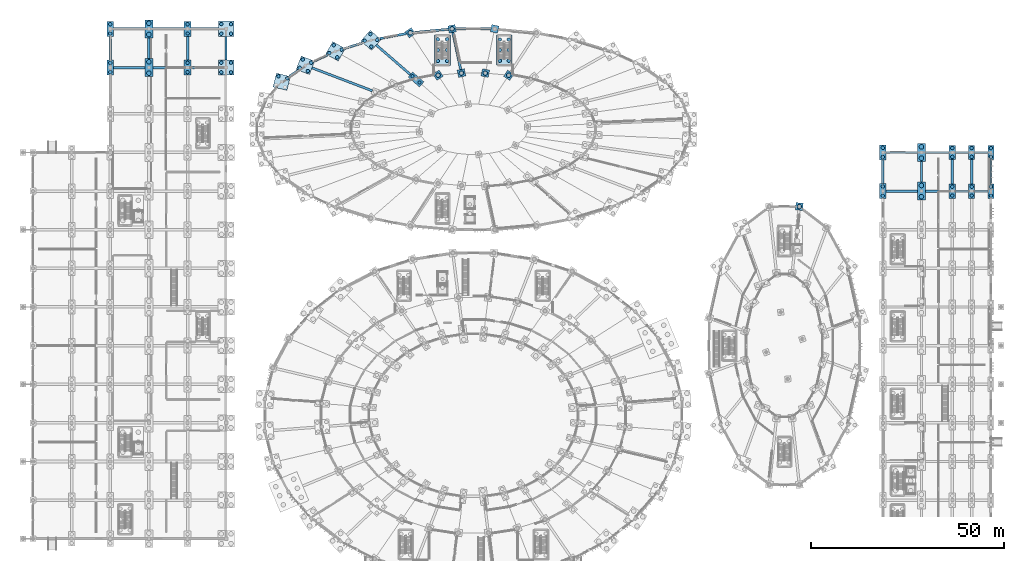
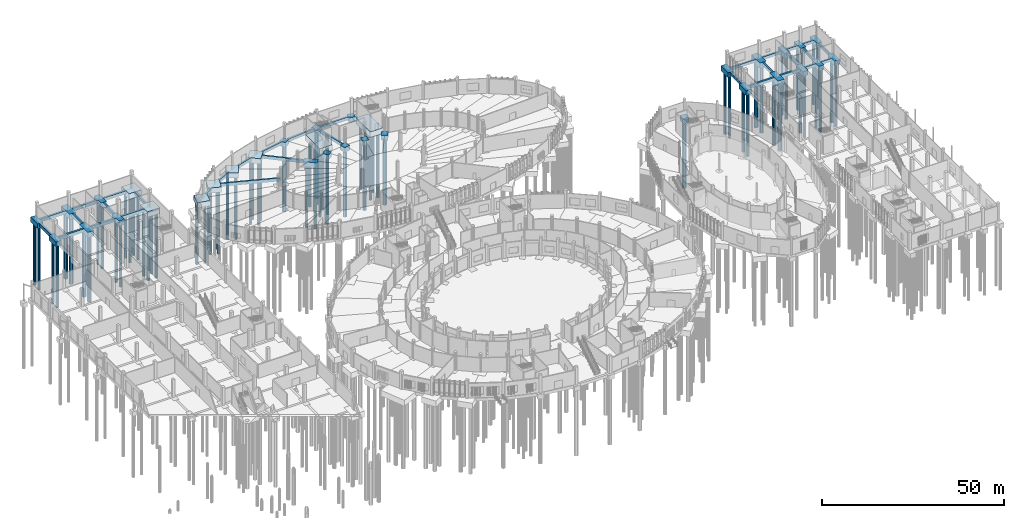
# One storey, part 12 of 140: 75 piles, 65 footings.
"""IFC4 building model written with IfcOpenShell, lengths in metres."""

from ifc_helpers import new_model, si_unit, direction, frame, origin, origin_2d, place, context, subcontext, project, spatial, rectangle, circle, extrude, material, layer, layer_set, material_profile, profile_set, type_object, element, save


model = new_model("IFC4")

# Units and contexts
model_context = context("Model", 3, precision=1e-05, world=origin(), true_north=direction((0.0, 1.0)))
body_context = subcontext(model_context, "Body", "Model", "MODEL_VIEW")
ifc_project = project(units=[si_unit("LENGTHUNIT", "METRE"), si_unit("AREAUNIT", "SQUARE_METRE"), si_unit("VOLUMEUNIT", "CUBIC_METRE"), si_unit("PLANEANGLEUNIT", "RADIAN"), si_unit("MASSUNIT", "GRAM", prefix="KILO")], contexts=[model_context])

# Site, building, storey
site_placement = place(None, origin())
site = spatial("IfcSite", under=ifc_project, at=site_placement, CompositionType="ELEMENT")
building_placement = place(site_placement, origin())
building = spatial("IfcBuilding", under=site, at=building_placement, Name="Corvandel Quay Wholesale Market", CompositionType="ELEMENT")
storey_placement = place(building_placement, origin())
storey = spatial("IfcBuildingStorey", under=building, at=storey_placement, Name="L00", CompositionType="ELEMENT", Elevation=0.0)

# Piles
ifc_material = material(Name="Concrete C40/50", Category="concrete")
ifc_material_profile_1 = material_profile(ifc_material, circle(Radius=0.60009765625, at=origin_2d()), Name="RC-PILE-D1200")
ifc_profile_set_1 = profile_set([ifc_material_profile_1], Name="Concrete C40/50")
pile_type_1 = type_object("IfcPileType", Name="Bored Pile D1200 L22.2", PredefinedType="BORED", material=ifc_profile_set_1)
for number, where, z_axis, x_axis, name in (
    (1, (123.14697265625, 130.0, -1.5), (0.0, 0.0, -1.0), (1.0, 0.0, 0.0), "Bored Pile PIL-0374"),
    (2, (117.089111328125, 130.56005859375, -1.5), (0.0, 0.0, -1.0), (1.0, 0.0, 0.0), "Bored Pile PIL-0376"),
    (3, (108.48388671875, 142.0, -1.5), (0.0, 0.0, -1.0), (1.0, 0.0, 0.0), "Bored Pile PIL-0377"),
    (4, (110.910888671875, 130.56005859375, -1.5), (0.0, 0.0, -1.0), (1.0, 0.0, 0.0), "Bored Pile PIL-0378"),
    (5, (97.6650390625, 141.0009765625, -1.5), (0.0, 0.0, -1.0), (1.0, 0.0, 0.0), "Bored Pile PIL-0380"),
    (6, (104.85302734375, 130.0, -1.5), (0.0, 0.0, -1.0), (1.0, 0.0, 0.0), "Bored Pile PIL-0381"),
    (7, (198.37890625, 96.0, -1.5), (0.0, 0.0, -1.0), (1.0, 0.0, 0.0), "Bored Pile PIL-0514"),
    (8, (30.0, 130.550048828125, -1.75), (0.0, 0.0, -1.0), (1.0, 0.0, 0.0), "Bored Pile PIL-0662"),
    (9, (30.0, 133.449951171875, -1.75), (0.0, 0.0, -1.0), (1.0, 0.0, 0.0), "Bored Pile PIL-0663"),
    (10, (30.0, 140.550048828125, -1.75), (0.0, 0.0, -1.0), (1.0, 0.0, 0.0), "Bored Pile PIL-0664"),
    (11, (30.0, 143.449951171875, -1.75), (0.0, 0.0, -1.0), (1.0, 0.0, 0.0), "Bored Pile PIL-0665"),
    (12, (230.0, 98.550048828125, -1.75), (0.0, 0.0, -1.0), (1.0, 0.0, 0.0), "Bored Pile PIL-0790"),
    (13, (230.0, 101.449951171875, -1.75), (0.0, 0.0, -1.0), (1.0, 0.0, 0.0), "Bored Pile PIL-0791"),
    (14, (230.0, 108.550048828125, -1.75), (0.0, 0.0, -1.0), (1.0, 0.0, 0.0), "Bored Pile PIL-0792"),
    (15, (230.0, 111.449951171875, -1.75), (0.0, 0.0, -1.0), (1.0, 0.0, 0.0), "Bored Pile PIL-0793"),
):
    element("IfcPile", number, at=place(storey_placement, frame(where, z_axis=z_axis, x_axis=x_axis)), inside=storey, type_object=pile_type_1, Name=name, PredefinedType="BORED", context=body_context, shape_type="SweptSolid", body=[
        extrude(circle(Radius=0.60009765625, at=origin_2d()), origin(), (0.0, 0.0, 1.0), 22.199951171875),
    ])
ifc_material_profile_2 = material_profile(ifc_material, circle(Radius=0.449951171875, at=origin_2d()), Name="RC-PILE-D900")
ifc_profile_set_2 = profile_set([ifc_material_profile_2], Name="Concrete C40/50")
pile_type_2 = type_object("IfcPileType", Name="Bored Pile D900 L21.0", PredefinedType="BORED", material=ifc_profile_set_2)
for number, where, z_axis, x_axis, name in (
    (16, (87.587890625, 137.4189453125, -1.64990234375), (0.0, 0.0, -1.0), (1.0, 0.0, 0.0), "Bored Pile PIL-0382"),
    (17, (89.095947265625, 139.155029296875, -1.64990234375), (0.0, 0.0, -1.0), (1.0, 0.0, 0.0), "Bored Pile PIL-0383"),
    (18, (85.85205078125, 138.927001953125, -1.64990234375), (0.0, 0.0, -1.0), (1.0, 0.0, 0.0), "Bored Pile PIL-0384"),
    (19, (87.360107421875, 140.6630859375, -1.64990234375), (0.0, 0.0, -1.0), (1.0, 0.0, 0.0), "Bored Pile PIL-0385"),
    (20, (100.051025390625, 128.115966796875, -1.550048828125), (0.0, 0.0, -1.0), (1.0, 0.0, 0.0), "Bored Pile PIL-0386"),
    (21, (98.239013671875, 129.68994140625, -1.550048828125), (0.0, 0.0, -1.0), (1.0, 0.0, 0.0), "Bored Pile PIL-0387"),
    (22, (78.737060546875, 134.62890625, -1.64990234375), (0.0, 0.0, -1.0), (1.0, 0.0, 0.0), "Bored Pile PIL-0388"),
    (23, (79.868896484375, 136.631103515625, -1.64990234375), (0.0, 0.0, -1.0), (1.0, 0.0, 0.0), "Bored Pile PIL-0389"),
    (24, (76.735107421875, 135.760986328125, -1.64990234375), (0.0, 0.0, -1.0), (1.0, 0.0, 0.0), "Bored Pile PIL-0390"),
    (25, (77.866943359375, 137.762939453125, -1.64990234375), (0.0, 0.0, -1.0), (1.0, 0.0, 0.0), "Bored Pile PIL-0391"),
    (26, (71.1669921875, 131.090087890625, -1.64990234375), (0.0, 0.0, -1.0), (1.0, 0.0, 0.0), "Bored Pile PIL-0394"),
    (27, (71.986083984375, 133.239013671875, -1.64990234375), (0.0, 0.0, -1.0), (1.0, 0.0, 0.0), "Bored Pile PIL-0395"),
    (28, (69.01806640625, 131.908935546875, -1.64990234375), (0.0, 0.0, -1.0), (1.0, 0.0, 0.0), "Bored Pile PIL-0396"),
    (29, (69.8369140625, 134.05810546875, -1.64990234375), (0.0, 0.0, -1.0), (1.0, 0.0, 0.0), "Bored Pile PIL-0397"),
    (30, (65.76611328125, 129.155029296875, -1.64990234375), (0.0, 0.0, -1.0), (1.0, 0.0, 0.0), "Bored Pile PIL-0402"),
    (31, (63.533935546875, 129.708984375, -1.64990234375), (0.0, 0.0, -1.0), (1.0, 0.0, 0.0), "Bored Pile PIL-0404"),
    (32, (20.0, 130.800048828125, -1.550048828125), (0.0, 0.0, -1.0), (1.0, 0.0, 0.0), "Bored Pile PIL-0634"),
    (33, (20.0, 133.199951171875, -1.550048828125), (0.0, 0.0, -1.0), (1.0, 0.0, 0.0), "Bored Pile PIL-0635"),
    (34, (20.0, 140.800048828125, -1.550048828125), (0.0, 0.0, -1.0), (1.0, 0.0, 0.0), "Bored Pile PIL-0636"),
    (35, (20.0, 143.199951171875, -1.550048828125), (0.0, 0.0, -1.0), (1.0, 0.0, 0.0), "Bored Pile PIL-0637"),
    (36, (40.0, 130.800048828125, -1.550048828125), (0.0, 0.0, -1.0), (1.0, 0.0, 0.0), "Bored Pile PIL-0690"),
    (37, (40.0, 133.199951171875, -1.550048828125), (0.0, 0.0, -1.0), (1.0, 0.0, 0.0), "Bored Pile PIL-0691"),
    (38, (40.0, 140.800048828125, -1.550048828125), (0.0, 0.0, -1.0), (1.0, 0.0, 0.0), "Bored Pile PIL-0692"),
    (39, (40.0, 143.199951171875, -1.550048828125), (0.0, 0.0, -1.0), (1.0, 0.0, 0.0), "Bored Pile PIL-0693"),
    (40, (220.0, 98.800048828125, -1.550048828125), (0.0, 0.0, -1.0), (1.0, 0.0, 0.0), "Bored Pile PIL-0768"),
    (41, (220.0, 101.199951171875, -1.550048828125), (0.0, 0.0, -1.0), (1.0, 0.0, 0.0), "Bored Pile PIL-0769"),
    (42, (220.0, 108.800048828125, -1.550048828125), (0.0, 0.0, -1.0), (1.0, 0.0, 0.0), "Bored Pile PIL-0770"),
    (43, (220.0, 111.199951171875, -1.550048828125), (0.0, 0.0, -1.0), (1.0, 0.0, 0.0), "Bored Pile PIL-0771"),
    (44, (238.0, 98.85009765625, -1.5), (0.0, 0.0, -1.0), (1.0, 0.0, 0.0), "Bored Pile PIL-0812"),
    (45, (238.0, 101.14990234375, -1.5), (0.0, 0.0, -1.0), (1.0, 0.0, 0.0), "Bored Pile PIL-0813"),
    (46, (238.0, 108.85009765625, -1.5), (0.0, 0.0, -1.0), (1.0, 0.0, 0.0), "Bored Pile PIL-0814"),
    (47, (238.0, 111.14990234375, -1.5), (0.0, 0.0, -1.0), (1.0, 0.0, 0.0), "Bored Pile PIL-0815"),
    (48, (243.0, 98.85009765625, -1.5), (0.0, 0.0, -1.0), (1.0, 0.0, 0.0), "Bored Pile PIL-0834"),
    (49, (243.0, 101.14990234375, -1.5), (0.0, 0.0, -1.0), (1.0, 0.0, 0.0), "Bored Pile PIL-0835"),
    (50, (243.0, 108.85009765625, -1.5), (0.0, 0.0, -1.0), (1.0, 0.0, 0.0), "Bored Pile PIL-0836"),
    (51, (243.0, 111.14990234375, -1.5), (0.0, 0.0, -1.0), (1.0, 0.0, 0.0), "Bored Pile PIL-0837"),
    (52, (248.0, 98.85009765625, -1.5), (0.0, 0.0, -1.0), (1.0, 0.0, 0.0), "Bored Pile PIL-0856"),
    (53, (248.0, 101.14990234375, -1.5), (0.0, 0.0, -1.0), (1.0, 0.0, 0.0), "Bored Pile PIL-0857"),
    (54, (248.0, 108.85009765625, -1.5), (0.0, 0.0, -1.0), (1.0, 0.0, 0.0), "Bored Pile PIL-0858"),
    (55, (248.0, 111.14990234375, -1.5), (0.0, 0.0, -1.0), (1.0, 0.0, 0.0), "Bored Pile PIL-0859"),
):
    element("IfcPile", number, at=place(storey_placement, frame(where, z_axis=z_axis, x_axis=x_axis)), inside=storey, type_object=pile_type_2, Name=name, PredefinedType="BORED", context=body_context, shape_type="SweptSolid", body=[
        extrude(circle(Radius=0.449951171875, at=origin_2d()), origin(), (0.0, 0.0, 1.0), 21.0),
    ])
ifc_material_profile_3 = material_profile(ifc_material, circle(Radius=0.449951171875, at=origin_2d()), Name="RC-PILE-D900")
ifc_profile_set_3 = profile_set([ifc_material_profile_3], Name="Concrete C40/50")
pile_type_3 = type_object("IfcPileType", Name="Bored Pile D900 L21.8", PredefinedType="BORED", material=ifc_profile_set_3)
for number, where, z_axis, x_axis, name in (
    (56, (104.800048828125, 133.699951171875, -1.85009765625), (0.0, 0.0, -1.0), (1.0, 0.0, 0.0), "Bored Pile PIL-0059"),
    (57, (107.199951171875, 133.699951171875, -1.85009765625), (0.0, 0.0, -1.0), (1.0, 0.0, 0.0), "Bored Pile PIL-0060"),
    (58, (104.800048828125, 136.5, -1.85009765625), (0.0, 0.0, -1.0), (1.0, 0.0, 0.0), "Bored Pile PIL-0061"),
    (59, (107.199951171875, 136.5, -1.85009765625), (0.0, 0.0, -1.0), (1.0, 0.0, 0.0), "Bored Pile PIL-0062"),
    (60, (104.800048828125, 139.300048828125, -1.85009765625), (0.0, 0.0, -1.0), (1.0, 0.0, 0.0), "Bored Pile PIL-0063"),
    (61, (107.199951171875, 139.300048828125, -1.85009765625), (0.0, 0.0, -1.0), (1.0, 0.0, 0.0), "Bored Pile PIL-0064"),
    (62, (120.85009765625, 133.75, -1.800048828125), (0.0, 0.0, -1.0), (1.0, 0.0, 0.0), "Bored Pile PIL-0065"),
    (63, (123.14990234375, 133.75, -1.800048828125), (0.0, 0.0, -1.0), (1.0, 0.0, 0.0), "Bored Pile PIL-0066"),
    (64, (120.85009765625, 136.5, -1.800048828125), (0.0, 0.0, -1.0), (1.0, 0.0, 0.0), "Bored Pile PIL-0067"),
    (65, (123.14990234375, 136.5, -1.800048828125), (0.0, 0.0, -1.0), (1.0, 0.0, 0.0), "Bored Pile PIL-0068"),
    (66, (120.85009765625, 139.25, -1.800048828125), (0.0, 0.0, -1.0), (1.0, 0.0, 0.0), "Bored Pile PIL-0069"),
    (67, (123.14990234375, 139.25, -1.800048828125), (0.0, 0.0, -1.0), (1.0, 0.0, 0.0), "Bored Pile PIL-0070"),
    (68, (48.75, 130.75, -1.75), (0.0, 0.0, -1.0), (1.0, 0.0, 0.0), "Bored Pile PIL-0742"),
    (69, (51.25, 130.75, -1.75), (0.0, 0.0, -1.0), (1.0, 0.0, 0.0), "Bored Pile PIL-0743"),
    (70, (48.75, 133.25, -1.75), (0.0, 0.0, -1.0), (1.0, 0.0, 0.0), "Bored Pile PIL-0744"),
    (71, (51.25, 133.25, -1.75), (0.0, 0.0, -1.0), (1.0, 0.0, 0.0), "Bored Pile PIL-0745"),
    (72, (48.75, 140.75, -1.75), (0.0, 0.0, -1.0), (1.0, 0.0, 0.0), "Bored Pile PIL-0746"),
    (73, (51.25, 140.75, -1.75), (0.0, 0.0, -1.0), (1.0, 0.0, 0.0), "Bored Pile PIL-0747"),
    (74, (48.75, 143.25, -1.75), (0.0, 0.0, -1.0), (1.0, 0.0, 0.0), "Bored Pile PIL-0748"),
    (75, (51.25, 143.25, -1.75), (0.0, 0.0, -1.0), (1.0, 0.0, 0.0), "Bored Pile PIL-0749"),
):
    element("IfcPile", number, at=place(storey_placement, frame(where, z_axis=z_axis, x_axis=x_axis)), inside=storey, type_object=pile_type_3, Name=name, PredefinedType="BORED", context=body_context, shape_type="SweptSolid", body=[
        extrude(circle(Radius=0.449951171875, at=origin_2d()), origin(), (0.0, 0.0, 1.0), 21.800048828125),
    ])

# Footings
ifc_layer_1 = layer(ifc_material, 1.050048828125)
ifc_layer_set_1 = layer_set([ifc_layer_1], Name="Concrete C40/50")
footing_type_1 = type_object("IfcFootingType", Name="Cold Store Grade Beam GB04 650x1050", PredefinedType="FOOTING_BEAM", material=ifc_layer_set_1)
for number, where, z_axis, x_axis, name in (
    (76, (24.93798828125, 132.0, -1.0498046875), (0.0, 0.0, 1.0), (1.0, 0.0, 0.0), "Grade Beam FND-0545"),
    (77, (35.06201171875, 132.0, -1.0498046875), (0.0, 0.0, 1.0), (1.0, 0.0, 0.0), "Grade Beam FND-0546"),
):
    element("IfcFooting", number, at=place(storey_placement, frame(where, z_axis=z_axis, x_axis=x_axis)), inside=storey, type_object=footing_type_1, Name=name, PredefinedType="FOOTING_BEAM", context=body_context, shape_type="SweptSolid", body=[
        extrude(rectangle(XDim=8.125, YDim=0.64990234375, at=origin_2d()), origin(), (0.0, 0.0, 1.0), 1.050048828125),
    ])
footing_1_placement = place(storey_placement, frame((44.43798828125, 132.0, -1.0498046875), z_axis=(0.0, 0.0, 1.0), x_axis=(1.0, 0.0, 0.0)))
element("IfcFooting", 78, at=footing_1_placement, inside=storey, type_object=footing_type_1, Name="Grade Beam FND-0547", PredefinedType="FOOTING_BEAM", context=body_context, shape_type="SweptSolid", body=[
    extrude(rectangle(XDim=7.125, YDim=0.64990234375, at=origin_2d()), origin(), (0.0, 0.0, 1.0), 1.050048828125),
])
for number, where, z_axis, x_axis, name in (
    (79, (24.93798828125, 142.0, -1.0498046875), (0.0, 0.0, 1.0), (1.0, 0.0, 0.0), "Grade Beam FND-0548"),
    (80, (35.06201171875, 142.0, -1.0498046875), (0.0, 0.0, 1.0), (1.0, 0.0, 0.0), "Grade Beam FND-0549"),
):
    element("IfcFooting", number, at=place(storey_placement, frame(where, z_axis=z_axis, x_axis=x_axis)), inside=storey, type_object=footing_type_1, Name=name, PredefinedType="FOOTING_BEAM", context=body_context, shape_type="SweptSolid", body=[
        extrude(rectangle(XDim=8.125, YDim=0.64990234375, at=origin_2d()), origin(), (0.0, 0.0, 1.0), 1.050048828125),
    ])
footing_2_placement = place(storey_placement, frame((44.43798828125, 142.0, -1.0498046875), z_axis=(0.0, 0.0, 1.0), x_axis=(1.0, 0.0, 0.0)))
element("IfcFooting", 81, at=footing_2_placement, inside=storey, type_object=footing_type_1, Name="Grade Beam FND-0550", PredefinedType="FOOTING_BEAM", context=body_context, shape_type="SweptSolid", body=[
    extrude(rectangle(XDim=7.125, YDim=0.64990234375, at=origin_2d()), origin(), (0.0, 0.0, 1.0), 1.050048828125),
])
footing_3_placement = place(storey_placement, frame((20.0, 137.0, -1.0498046875), z_axis=(0.0, 0.0, 1.0), x_axis=(0.0, 1.0, 0.0)))
element("IfcFooting", 82, at=footing_3_placement, inside=storey, type_object=footing_type_1, Name="Grade Beam FND-0583", PredefinedType="FOOTING_BEAM", context=body_context, shape_type="SweptSolid", body=[
    extrude(rectangle(XDim=6.10009765625, YDim=0.64990234375, at=origin_2d()), origin(), (0.0, 0.0, 1.0), 1.050048828125),
])
footing_4_placement = place(storey_placement, frame((30.0, 137.0, -1.0498046875), z_axis=(0.0, 0.0, 1.0), x_axis=(0.0, 1.0, 0.0)))
element("IfcFooting", 83, at=footing_4_placement, inside=storey, type_object=footing_type_1, Name="Grade Beam FND-0596", PredefinedType="FOOTING_BEAM", context=body_context, shape_type="SweptSolid", body=[
    extrude(rectangle(XDim=5.39990234375, YDim=0.64990234375, at=origin_2d()), origin(), (0.0, 0.0, 1.0), 1.050048828125),
])
footing_5_placement = place(storey_placement, frame((40.0, 137.0, -1.0498046875), z_axis=(0.0, 0.0, 1.0), x_axis=(0.0, 1.0, 0.0)))
element("IfcFooting", 84, at=footing_5_placement, inside=storey, type_object=footing_type_1, Name="Grade Beam FND-0609", PredefinedType="FOOTING_BEAM", context=body_context, shape_type="SweptSolid", body=[
    extrude(rectangle(XDim=6.10009765625, YDim=0.64990234375, at=origin_2d()), origin(), (0.0, 0.0, 1.0), 1.050048828125),
])
ifc_layer_2 = layer(ifc_material, 0.89990234375)
ifc_layer_set_2 = layer_set([ifc_layer_2], Name="Concrete C40/50")
footing_type_2 = type_object("IfcFootingType", Name="Perimeter Grade Beam GB03 550x900", PredefinedType="FOOTING_BEAM", material=ifc_layer_set_2)
footing_6_placement = place(storey_placement, frame((50.0, 137.0, -0.89990234375), z_axis=(0.0, 0.0, 1.0), x_axis=(0.0, 1.0, 0.0)))
element("IfcFooting", 85, at=footing_6_placement, inside=storey, type_object=footing_type_2, Name="Grade Beam FND-0622", PredefinedType="FOOTING_BEAM", context=body_context, shape_type="SweptSolid", body=[
    extrude(rectangle(XDim=6.0, YDim=0.550048828125, at=origin_2d()), origin(), (0.0, 0.0, 1.0), 0.89990234375),
])
footing_7_placement = place(storey_placement, frame((220.0, 105.0, -0.89990234375), z_axis=(0.0, 0.0, 1.0), x_axis=(0.0, 1.0, 0.0)))
element("IfcFooting", 86, at=footing_7_placement, inside=storey, type_object=footing_type_2, Name="Grade Beam FND-0731", PredefinedType="FOOTING_BEAM", context=body_context, shape_type="SweptSolid", body=[
    extrude(rectangle(XDim=6.10009765625, YDim=0.550048828125, at=origin_2d()), origin(), (0.0, 0.0, 1.0), 0.89990234375),
])
footing_8_placement = place(storey_placement, frame((248.0, 105.0, -0.89990234375), z_axis=(0.0, 0.0, 1.0), x_axis=(0.0, 1.0, 0.0)))
element("IfcFooting", 87, at=footing_8_placement, inside=storey, type_object=footing_type_2, Name="Grade Beam FND-0771", PredefinedType="FOOTING_BEAM", context=body_context, shape_type="SweptSolid", body=[
    extrude(rectangle(XDim=6.300048828125, YDim=0.550048828125, at=origin_2d()), origin(), (0.0, 0.0, 1.0), 0.89990234375),
])
ifc_layer_3 = layer(ifc_material, 1.60009765625)
ifc_layer_set_3 = layer_set([ifc_layer_3], Name="Concrete C40/50")
footing_type_3 = type_object("IfcFootingType", Name="Pile Cap PC01 1600x3700x1600", PredefinedType="PILE_CAP", material=ifc_layer_set_3)
for number, where, z_axis, x_axis, name in (
    (88, (238.0, 100.0, -1.60009765625), (0.0, 0.0, 1.0), (1.0, 0.0, 0.0), "Pile Cap FND-0654"),
    (89, (238.0, 110.0, -1.60009765625), (0.0, 0.0, 1.0), (1.0, 0.0, 0.0), "Pile Cap FND-0655"),
    (90, (243.0, 100.0, -1.60009765625), (0.0, 0.0, 1.0), (1.0, 0.0, 0.0), "Pile Cap FND-0665"),
    (91, (243.0, 110.0, -1.60009765625), (0.0, 0.0, 1.0), (1.0, 0.0, 0.0), "Pile Cap FND-0666"),
    (92, (248.0, 100.0, -1.60009765625), (0.0, 0.0, 1.0), (1.0, 0.0, 0.0), "Pile Cap FND-0676"),
    (93, (248.0, 110.0, -1.60009765625), (0.0, 0.0, 1.0), (1.0, 0.0, 0.0), "Pile Cap FND-0677"),
):
    element("IfcFooting", number, at=place(storey_placement, frame(where, z_axis=z_axis, x_axis=x_axis)), inside=storey, type_object=footing_type_3, Name=name, PredefinedType="PILE_CAP", context=body_context, shape_type="SweptSolid", body=[
        extrude(rectangle(XDim=1.60009765625, YDim=3.699951171875, at=origin_2d()), origin(), (0.0, 0.0, 1.0), 1.60009765625),
    ])
ifc_layer_4 = layer(ifc_material, 1.64990234375)
ifc_layer_set_4 = layer_set([ifc_layer_4], Name="Concrete C40/50")
footing_type_4 = type_object("IfcFootingType", Name="Pile Cap PC03 1750x3900x1650", PredefinedType="PILE_CAP", material=ifc_layer_set_4)
for number, where, z_axis, x_axis, name in (
    (94, (99.14501953125, 128.903076171875, -1.64990234375), (0.0, 0.0, 1.0), (0.655795545685, 0.754938542041, 0.0), "Pile Cap FND-0239"),
    (95, (20.0, 132.0, -1.64990234375), (0.0, 0.0, 1.0), (1.0, 0.0, 0.0), "Pile Cap FND-0443"),
    (96, (20.0, 142.0, -1.64990234375), (0.0, 0.0, 1.0), (1.0, 0.0, 0.0), "Pile Cap FND-0444"),
    (97, (40.0, 132.0, -1.64990234375), (0.0, 0.0, 1.0), (1.0, 0.0, 0.0), "Pile Cap FND-0471"),
    (98, (40.0, 142.0, -1.64990234375), (0.0, 0.0, 1.0), (1.0, 0.0, 0.0), "Pile Cap FND-0472"),
    (99, (220.0, 100.0, -1.64990234375), (0.0, 0.0, 1.0), (1.0, 0.0, 0.0), "Pile Cap FND-0632"),
    (100, (220.0, 110.0, -1.64990234375), (0.0, 0.0, 1.0), (1.0, 0.0, 0.0), "Pile Cap FND-0633"),
):
    element("IfcFooting", number, at=place(storey_placement, frame(where, z_axis=z_axis, x_axis=x_axis)), inside=storey, type_object=footing_type_4, Name=name, PredefinedType="PILE_CAP", context=body_context, shape_type="SweptSolid", body=[
        extrude(rectangle(XDim=1.75, YDim=3.89990234375, at=origin_2d()), origin(), (0.0, 0.0, 1.0), 1.64990234375),
    ])
ifc_layer_5 = layer(ifc_material, 1.75)
ifc_layer_set_5 = layer_set([ifc_layer_5], Name="Concrete C40/50")
footing_type_5 = type_object("IfcFootingType", Name="Pile Cap PC05 3700x3700x1750", PredefinedType="PILE_CAP", material=ifc_layer_set_5)
for number, where, z_axis, x_axis, name in (
    (101, (87.47412109375, 139.041015625, -1.75), (0.0, 0.0, 1.0), (0.655795545685, 0.754938542041, 0.0), "Pile Cap FND-0238"),
    (102, (78.302001953125, 136.196044921875, -1.75), (0.0, 0.0, 1.0), (0.492423560103, 0.87035569594, 0.0), "Pile Cap FND-0240"),
    (103, (70.501953125, 132.573974609375, -1.75), (0.0, 0.0, 1.0), (0.356085714679, 0.934453296747, 0.0), "Pile Cap FND-0242"),
    (104, (64.373046875, 128.31591796875, -1.75), (0.0, 0.0, 1.0), (0.240905671828, 0.970548534222, 0.0), "Pile Cap FND-0245"),
):
    element("IfcFooting", number, at=place(storey_placement, frame(where, z_axis=z_axis, x_axis=x_axis)), inside=storey, type_object=footing_type_5, Name=name, PredefinedType="PILE_CAP", context=body_context, shape_type="SweptSolid", body=[
        extrude(rectangle(XDim=3.699951171875, YDim=3.699951171875, at=origin_2d()), origin(), (0.0, 0.0, 1.0), 1.75),
    ])
ifc_layer_6 = layer(ifc_material, 1.85009765625)
ifc_layer_set_6 = layer_set([ifc_layer_6], Name="Concrete C40/50")
footing_type_6 = type_object("IfcFootingType", Name="Pile Cap PC07 4000x4000x1850", PredefinedType="PILE_CAP", material=ifc_layer_set_6)
for number, where, z_axis, x_axis, name in (
    (105, (50.0, 132.0, -1.85009765625), (0.0, 0.0, 1.0), (1.0, 0.0, 0.0), "Pile Cap FND-0485"),
    (106, (50.0, 142.0, -1.85009765625), (0.0, 0.0, 1.0), (1.0, 0.0, 0.0), "Pile Cap FND-0486"),
):
    element("IfcFooting", number, at=place(storey_placement, frame(where, z_axis=z_axis, x_axis=x_axis)), inside=storey, type_object=footing_type_6, Name=name, PredefinedType="PILE_CAP", context=body_context, shape_type="SweptSolid", body=[
        extrude(rectangle(XDim=4.0, YDim=4.0, at=origin_2d()), origin(), (0.0, 0.0, 1.0), 1.85009765625),
    ])
ifc_layer_7 = layer(ifc_material, 1.85009765625)
ifc_layer_set_7 = layer_set([ifc_layer_7], Name="Concrete C40/50")
footing_type_7 = type_object("IfcFootingType", Name="Pile Cap PC09 2000x4600x1850", PredefinedType="PILE_CAP", material=ifc_layer_set_7)
for number, where, z_axis, x_axis, name in (
    (107, (30.0, 132.0, -1.85009765625), (0.0, 0.0, 1.0), (1.0, 0.0, 0.0), "Pile Cap FND-0457"),
    (108, (30.0, 142.0, -1.85009765625), (0.0, 0.0, 1.0), (1.0, 0.0, 0.0), "Pile Cap FND-0458"),
    (109, (230.0, 100.0, -1.85009765625), (0.0, 0.0, 1.0), (1.0, 0.0, 0.0), "Pile Cap FND-0643"),
    (110, (230.0, 110.0, -1.85009765625), (0.0, 0.0, 1.0), (1.0, 0.0, 0.0), "Pile Cap FND-0644"),
):
    element("IfcFooting", number, at=place(storey_placement, frame(where, z_axis=z_axis, x_axis=x_axis)), inside=storey, type_object=footing_type_7, Name=name, PredefinedType="PILE_CAP", context=body_context, shape_type="SweptSolid", body=[
        extrude(rectangle(XDim=2.0, YDim=4.60009765625, at=origin_2d()), origin(), (0.0, 0.0, 1.0), 1.85009765625),
    ])
ifc_layer_8 = layer(ifc_material, 1.60009765625)
ifc_layer_set_8 = layer_set([ifc_layer_8], Name="Concrete C40/50")
footing_type_8 = type_object("IfcFootingType", Name="Pile Cap PC16 1900x1900x1600", PredefinedType="PILE_CAP", material=ifc_layer_set_8)
for number, where, z_axis, x_axis, name in (
    (111, (123.14697265625, 130.0, -1.60009765625), (0.0, 0.0, 1.0), (-0.837146380758, 0.546978918409, 0.0), "Pile Cap FND-0230"),
    (112, (119.51611328125, 142.0, -1.60009765625), (0.0, 0.0, 1.0), (-0.978220116011, 0.207570240234, 0.0), "Pile Cap FND-0231"),
    (113, (117.089111328125, 130.56005859375, -1.60009765625), (0.0, 0.0, 1.0), (-0.978220116011, 0.207570240234, 0.0), "Pile Cap FND-0232"),
    (114, (108.48388671875, 142.0, -1.60009765625), (0.0, 0.0, 1.0), (0.978220116011, 0.207570240234, 0.0), "Pile Cap FND-0233"),
    (115, (110.910888671875, 130.56005859375, -1.60009765625), (0.0, 0.0, 1.0), (0.978220116011, 0.207570240234, 0.0), "Pile Cap FND-0234"),
    (116, (97.6650390625, 141.0009765625, -1.60009765625), (0.0, 0.0, 1.0), (0.837146380758, 0.546978918409, 0.0), "Pile Cap FND-0236"),
    (117, (104.85302734375, 130.0, -1.60009765625), (0.0, 0.0, 1.0), (0.837146380758, 0.546978918409, 0.0), "Pile Cap FND-0237"),
    (118, (198.37890625, 96.0, -1.60009765625), (0.0, 0.0, 1.0), (-0.994244832633, 0.107131754314, 0.0), "Pile Cap FND-0342"),
):
    element("IfcFooting", number, at=place(storey_placement, frame(where, z_axis=z_axis, x_axis=x_axis)), inside=storey, type_object=footing_type_8, Name=name, PredefinedType="PILE_CAP", context=body_context, shape_type="SweptSolid", body=[
        extrude(rectangle(XDim=1.89990234375, YDim=1.89990234375, at=origin_2d()), origin(), (0.0, 0.0, 1.0), 1.60009765625),
    ])
ifc_layer_9 = layer(ifc_material, 0.949951171875)
ifc_layer_set_9 = layer_set([ifc_layer_9], Name="Concrete C40/50")
footing_type_9 = type_object("IfcFootingType", Name="Seismic Tie Beam GB01 600x950", PredefinedType="FOOTING_BEAM", material=ifc_layer_set_9)
footing_9_placement = place(storey_placement, frame((114.0, 142.0, -0.9501953125), z_axis=(0.0, 0.0, 1.0), x_axis=(1.0, 0.0, 0.0)))
element("IfcFooting", 119, at=footing_9_placement, inside=storey, type_object=footing_type_9, Name="Grade Beam FND-0298", PredefinedType="FOOTING_BEAM", context=body_context, shape_type="SweptSolid", body=[
    extrude(rectangle(XDim=9.090087890625, YDim=0.60009765625, at=origin_2d()), origin(), (0.0, 0.0, 1.0), 0.949951171875),
])
footing_10_placement = place(storey_placement, frame((103.133056640625, 141.506103515625, -0.9501953125), z_axis=(0.0, 0.0, 1.0), x_axis=(0.995756880939, 0.092023008338, 0.0)))
element("IfcFooting", 120, at=footing_10_placement, inside=storey, type_object=footing_type_9, Name="Grade Beam FND-0299", PredefinedType="FOOTING_BEAM", context=body_context, shape_type="SweptSolid", body=[
    extrude(rectangle(XDim=8.833984375, YDim=0.60009765625, at=origin_2d()), origin(), (0.0, 0.0, 1.0), 0.949951171875),
])
footing_11_placement = place(storey_placement, frame((109.697998046875, 136.280029296875, -0.9501953125), z_axis=(0.0, 0.0, 1.0), x_axis=(-0.207570240234, 0.978220116011, 0.0)))
element("IfcFooting", 121, at=footing_11_placement, inside=storey, type_object=footing_type_9, Name="Grade Beam FND-0300", PredefinedType="FOOTING_BEAM", context=body_context, shape_type="SweptSolid", body=[
    extrude(rectangle(XDim=9.794921875, YDim=0.60009765625, at=origin_2d()), origin(), (0.0, 0.0, 1.0), 0.949951171875),
])
footing_12_placement = place(storey_placement, frame((93.219970703125, 140.14599609375, -0.9501953125), z_axis=(0.0, 0.0, 1.0), x_axis=(0.981991701121, 0.188924055984, 0.0)))
element("IfcFooting", 122, at=footing_12_placement, inside=storey, type_object=footing_type_9, Name="Grade Beam FND-0301", PredefinedType="FOOTING_BEAM", context=body_context, shape_type="SweptSolid", body=[
    extrude(rectangle(XDim=6.9990234375, YDim=0.60009765625, at=origin_2d()), origin(), (0.0, 0.0, 1.0), 0.949951171875),
])
footing_13_placement = place(storey_placement, frame((83.06201171875, 137.672119140625, -0.9501953125), z_axis=(0.0, 0.0, 1.0), x_axis=(0.955123398809, 0.296208192067, 0.0)))
element("IfcFooting", 123, at=footing_13_placement, inside=storey, type_object=footing_type_9, Name="Grade Beam FND-0302", PredefinedType="FOOTING_BEAM", context=body_context, shape_type="SweptSolid", body=[
    extrude(rectangle(XDim=4.885986328125, YDim=0.60009765625, at=origin_2d()), origin(), (0.0, 0.0, 1.0), 0.949951171875),
])
footing_14_placement = place(storey_placement, frame((93.27197265625, 134.0048828125, -0.9501953125), z_axis=(0.0, 0.0, 1.0), x_axis=(-0.754938542041, 0.655795545685, 0.0)))
element("IfcFooting", 124, at=footing_14_placement, inside=storey, type_object=footing_type_9, Name="Grade Beam FND-0303", PredefinedType="FOOTING_BEAM", context=body_context, shape_type="SweptSolid", body=[
    extrude(rectangle(XDim=11.658935546875, YDim=0.60009765625, at=origin_2d()), origin(), (0.0, 0.0, 1.0), 0.949951171875),
])
footing_15_placement = place(storey_placement, frame((74.541015625, 134.449951171875, -0.9501953125), z_axis=(0.0, 0.0, 1.0), x_axis=(0.906970515865, 0.421194115999, 0.0)))
element("IfcFooting", 125, at=footing_15_placement, inside=storey, type_object=footing_type_9, Name="Grade Beam FND-0304", PredefinedType="FOOTING_BEAM", context=body_context, shape_type="SweptSolid", body=[
    extrude(rectangle(XDim=3.742919921875, YDim=0.60009765625, at=origin_2d()), origin(), (0.0, 0.0, 1.0), 0.949951171875),
])
footing_16_placement = place(storey_placement, frame((67.528076171875, 130.508056640625, -0.9501953125), z_axis=(0.0, 0.0, 1.0), x_axis=(0.821248804935, 0.570570241419, 0.0)))
element("IfcFooting", 126, at=footing_16_placement, inside=storey, type_object=footing_type_9, Name="Grade Beam FND-0305", PredefinedType="FOOTING_BEAM", context=body_context, shape_type="SweptSolid", body=[
    extrude(rectangle(XDim=2.760986328125, YDim=0.60009765625, at=origin_2d()), origin(), (0.0, 0.0, 1.0), 0.949951171875),
])
footing_17_placement = place(storey_placement, frame((80.02490234375, 128.945068359375, -0.9501953125), z_axis=(0.0, 0.0, 1.0), x_axis=(-0.934453296747, 0.356085714679, 0.0)))
element("IfcFooting", 127, at=footing_17_placement, inside=storey, type_object=footing_type_9, Name="Grade Beam FND-0306", PredefinedType="FOOTING_BEAM", context=body_context, shape_type="SweptSolid", body=[
    extrude(rectangle(XDim=16.680908203125, YDim=0.60009765625, at=origin_2d()), origin(), (0.0, 0.0, 1.0), 0.949951171875),
])
footing_18_placement = place(storey_placement, frame((224.93798828125, 100.0, -0.9501953125), z_axis=(0.0, 0.0, 1.0), x_axis=(1.0, 0.0, 0.0)))
element("IfcFooting", 128, at=footing_18_placement, inside=storey, type_object=footing_type_9, Name="Grade Beam FND-0714", PredefinedType="FOOTING_BEAM", context=body_context, shape_type="SweptSolid", body=[
    extrude(rectangle(XDim=8.125, YDim=0.60009765625, at=origin_2d()), origin(), (0.0, 0.0, 1.0), 0.949951171875),
])
footing_19_placement = place(storey_placement, frame((234.10009765625, 100.0, -0.9501953125), z_axis=(0.0, 0.0, 1.0), x_axis=(1.0, 0.0, 0.0)))
element("IfcFooting", 129, at=footing_19_placement, inside=storey, type_object=footing_type_9, Name="Grade Beam FND-0715", PredefinedType="FOOTING_BEAM", context=body_context, shape_type="SweptSolid", body=[
    extrude(rectangle(XDim=6.199951171875, YDim=0.60009765625, at=origin_2d()), origin(), (0.0, 0.0, 1.0), 0.949951171875),
])
for number, where, z_axis, x_axis, name in (
    (130, (240.5, 100.0, -0.9501953125), (0.0, 0.0, 1.0), (1.0, 0.0, 0.0), "Grade Beam FND-0716"),
    (131, (245.5, 100.0, -0.9501953125), (0.0, 0.0, 1.0), (1.0, 0.0, 0.0), "Grade Beam FND-0717"),
):
    element("IfcFooting", number, at=place(storey_placement, frame(where, z_axis=z_axis, x_axis=x_axis)), inside=storey, type_object=footing_type_9, Name=name, PredefinedType="FOOTING_BEAM", context=body_context, shape_type="SweptSolid", body=[
        extrude(rectangle(XDim=3.39990234375, YDim=0.60009765625, at=origin_2d()), origin(), (0.0, 0.0, 1.0), 0.949951171875),
    ])
footing_20_placement = place(storey_placement, frame((224.93798828125, 110.0, -0.9501953125), z_axis=(0.0, 0.0, 1.0), x_axis=(1.0, 0.0, 0.0)))
element("IfcFooting", 132, at=footing_20_placement, inside=storey, type_object=footing_type_9, Name="Grade Beam FND-0718", PredefinedType="FOOTING_BEAM", context=body_context, shape_type="SweptSolid", body=[
    extrude(rectangle(XDim=8.125, YDim=0.60009765625, at=origin_2d()), origin(), (0.0, 0.0, 1.0), 0.949951171875),
])
footing_21_placement = place(storey_placement, frame((234.10009765625, 110.0, -0.9501953125), z_axis=(0.0, 0.0, 1.0), x_axis=(1.0, 0.0, 0.0)))
element("IfcFooting", 133, at=footing_21_placement, inside=storey, type_object=footing_type_9, Name="Grade Beam FND-0719", PredefinedType="FOOTING_BEAM", context=body_context, shape_type="SweptSolid", body=[
    extrude(rectangle(XDim=6.199951171875, YDim=0.60009765625, at=origin_2d()), origin(), (0.0, 0.0, 1.0), 0.949951171875),
])
for number, where, z_axis, x_axis, name in (
    (134, (240.5, 110.0, -0.9501953125), (0.0, 0.0, 1.0), (1.0, 0.0, 0.0), "Grade Beam FND-0720"),
    (135, (245.5, 110.0, -0.9501953125), (0.0, 0.0, 1.0), (1.0, 0.0, 0.0), "Grade Beam FND-0721"),
):
    element("IfcFooting", number, at=place(storey_placement, frame(where, z_axis=z_axis, x_axis=x_axis)), inside=storey, type_object=footing_type_9, Name=name, PredefinedType="FOOTING_BEAM", context=body_context, shape_type="SweptSolid", body=[
        extrude(rectangle(XDim=3.39990234375, YDim=0.60009765625, at=origin_2d()), origin(), (0.0, 0.0, 1.0), 0.949951171875),
    ])
footing_22_placement = place(storey_placement, frame((230.0, 105.0, -0.9501953125), z_axis=(0.0, 0.0, 1.0), x_axis=(0.0, 1.0, 0.0)))
element("IfcFooting", 136, at=footing_22_placement, inside=storey, type_object=footing_type_9, Name="Grade Beam FND-0741", PredefinedType="FOOTING_BEAM", context=body_context, shape_type="SweptSolid", body=[
    extrude(rectangle(XDim=5.39990234375, YDim=0.60009765625, at=origin_2d()), origin(), (0.0, 0.0, 1.0), 0.949951171875),
])
for number, where, z_axis, x_axis, name in (
    (137, (238.0, 105.0, -0.9501953125), (0.0, 0.0, 1.0), (0.0, 1.0, 0.0), "Grade Beam FND-0751"),
    (138, (243.0, 105.0, -0.9501953125), (0.0, 0.0, 1.0), (0.0, 1.0, 0.0), "Grade Beam FND-0761"),
):
    element("IfcFooting", number, at=place(storey_placement, frame(where, z_axis=z_axis, x_axis=x_axis)), inside=storey, type_object=footing_type_9, Name=name, PredefinedType="FOOTING_BEAM", context=body_context, shape_type="SweptSolid", body=[
        extrude(rectangle(XDim=6.300048828125, YDim=0.60009765625, at=origin_2d()), origin(), (0.0, 0.0, 1.0), 0.949951171875),
    ])
ifc_layer_10 = layer(ifc_material, 1.89990234375)
ifc_layer_set_10 = layer_set([ifc_layer_10], Name="Concrete C40/50")
footing_type_10 = type_object("IfcFootingType", Name="Shaft Pile Cap PC13 3900x7800x1900", PredefinedType="PILE_CAP", material=ifc_layer_set_10)
footing_23_placement = place(storey_placement, frame((122.0, 136.5, -1.89990234375), z_axis=(0.0, 0.0, 1.0), x_axis=(1.0, 0.0, 0.0)))
element("IfcFooting", 139, at=footing_23_placement, inside=storey, type_object=footing_type_10, Name="Pile Cap FND-0013", PredefinedType="PILE_CAP", context=body_context, shape_type="SweptSolid", body=[
    extrude(rectangle(XDim=3.89990234375, YDim=7.800048828125, at=origin_2d()), origin(), (0.0, 0.0, 1.0), 1.89990234375),
])
ifc_layer_11 = layer(ifc_material, 1.949951171875)
ifc_layer_set_11 = layer_set([ifc_layer_11], Name="Concrete C40/50")
footing_type_11 = type_object("IfcFootingType", Name="Shaft Pile Cap PC14 4050x7900x1950", PredefinedType="PILE_CAP", material=ifc_layer_set_11)
footing_24_placement = place(storey_placement, frame((106.0, 136.5, -1.9501953125), z_axis=(0.0, 0.0, 1.0), x_axis=(1.0, 0.0, 0.0)))
element("IfcFooting", 140, at=footing_24_placement, inside=storey, type_object=footing_type_11, Name="Pile Cap FND-0012", PredefinedType="PILE_CAP", context=body_context, shape_type="SweptSolid", body=[
    extrude(rectangle(XDim=4.050048828125, YDim=7.89990234375, at=origin_2d()), origin(), (0.0, 0.0, 1.0), 1.949951171875),
])

save(model, "model.ifc")
